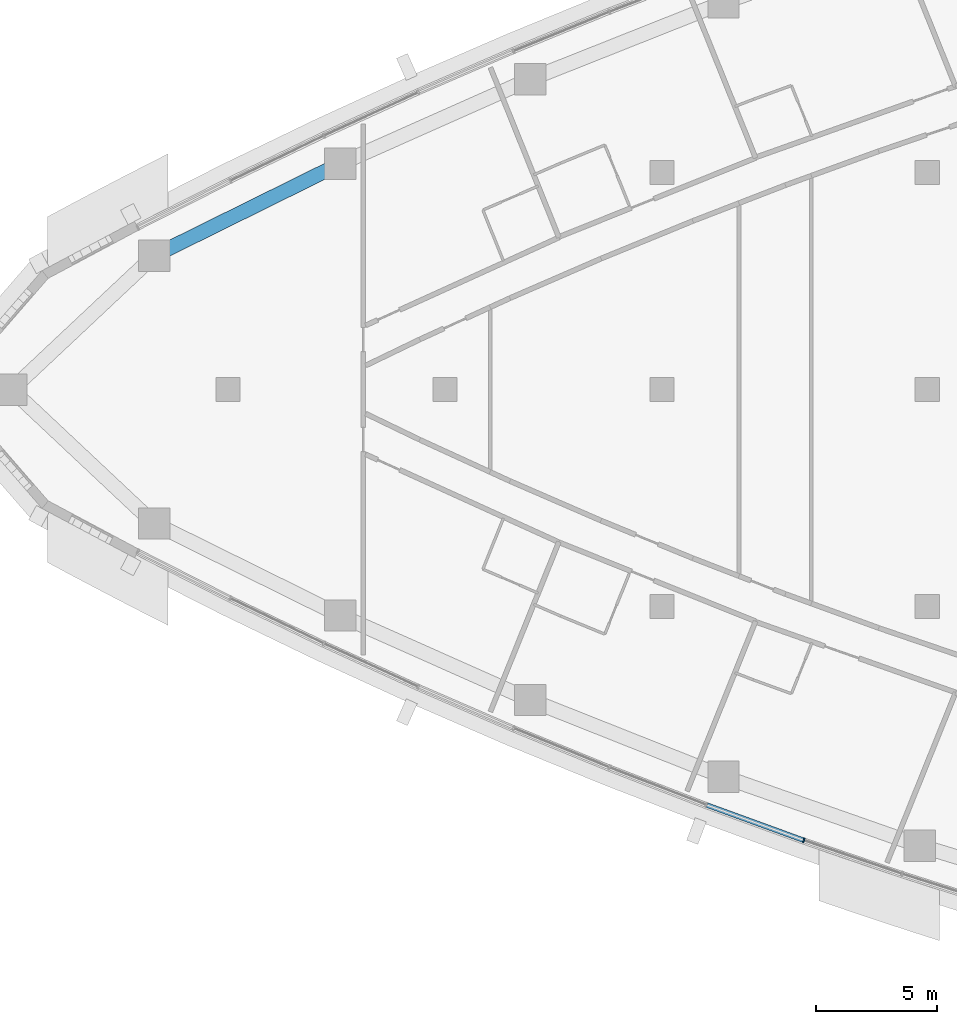
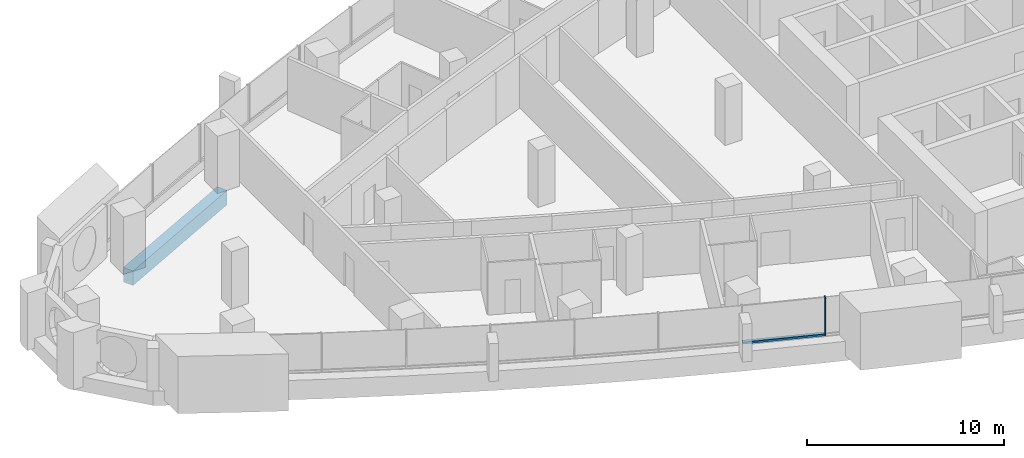
# One storey, part 3 of 17: 2 members, 1 beam, 1 element without a shape of its own.
"""IFC4 building model written with IfcOpenShell, lengths in metres."""

from ifc_helpers import new_model, si_unit, direction, frame, origin, origin_2d, place, context, subcontext, project, spatial, rectangle, extrude, material, layer, layer_set, material_profile, profile_set, type_object, element, aggregate, save


model = new_model("IFC4")

# Units and contexts
model_context = context("Model", 3, precision=1e-05, world=origin(), true_north=direction((0.0, 1.0)))
body_context = subcontext(model_context, "Body", "Model", "MODEL_VIEW")
ifc_project = project(units=[si_unit("LENGTHUNIT", "METRE"), si_unit("AREAUNIT", "SQUARE_METRE"), si_unit("VOLUMEUNIT", "CUBIC_METRE"), si_unit("PLANEANGLEUNIT", "RADIAN"), si_unit("MASSUNIT", "GRAM", prefix="KILO")], contexts=[model_context])

# Site, building, storey
site_placement = place(None, origin())
site = spatial("IfcSite", under=ifc_project, at=site_placement, CompositionType="ELEMENT")
building_placement = place(site_placement, origin())
building = spatial("IfcBuilding", under=site, at=building_placement, Name="Ostrand Prow Hotel Tower", CompositionType="ELEMENT")
storey_placement = place(building_placement, frame((0.0, 0.0, 196.800048828125)))
storey = spatial("IfcBuildingStorey", under=building, at=storey_placement, Name="L49", CompositionType="ELEMENT", Elevation=196.800048828125)

# Beam
ifc_material_1 = material(Name="Concrete C60/75", Category="concrete")
ifc_material_profile_1 = material_profile(ifc_material_1, rectangle(XDim=0.60009765625, YDim=0.89990234375, at=origin_2d()), Name="RC 600x900")
ifc_profile_set_1 = profile_set([ifc_material_profile_1], Name="Concrete C60/75")
beam_type = type_object("IfcBeamType", Name="Edge beam 600x900 C60/75", PredefinedType="SPANDREL", material=ifc_profile_set_1)
beam_placement = place(storey_placement, frame((20.656982421875, 9.373291015625, -0.75), z_axis=(-0.896383774903, -0.443278837856, 0.0), x_axis=(0.443278837856, -0.896383774903, 0.0)))
element("IfcBeam", 1, at=beam_placement, inside=storey, type_object=beam_type, Name="Edge beam N5-N6", PredefinedType="SPANDREL", context=body_context, shape_type="SweptSolid", body=[
    extrude(rectangle(XDim=0.60009765625, YDim=0.89990234375, at=origin_2d()), origin(), (0.0, 0.0, 1.0), 8.62158203125),
])

# Curtain wall, members
ifc_material_2 = material(Name="Insulated glass in bronze anodised frame", Category="glass")
ifc_layer = layer(ifc_material_2, 0.199951171875)
ifc_layer_set = layer_set([ifc_layer], Name="Insulated glass in bronze anodised frame")
curtain_wall_type = type_object("IfcCurtainWallType", Name="Strip curtain wall, fritted glass over bronze spandrel", PredefinedType="NOTDEFINED", material=ifc_layer_set)
curtain_wall_placement = place(storey_placement, origin())
curtain_wall = element("IfcCurtainWall", 2, at=curtain_wall_placement, inside=storey, type_object=curtain_wall_type, Name="CW1 run CWS4", PredefinedType="NOTDEFINED")
ifc_material_3 = material(Name="Bronze anodised aluminium", Category="aluminium")
ifc_material_profile_2 = material_profile(ifc_material_3, rectangle(XDim=0.199951171875, YDim=0.06005859375, at=origin_2d()), Name="Mullion 60x200 bronze anodised aluminium")
ifc_profile_set_2 = profile_set([ifc_material_profile_2], Name="Bronze anodised aluminium")
member_type_1 = type_object("IfcMemberType", Name="Mullion 60x200 bronze anodised aluminium", PredefinedType="MULLION", material=ifc_profile_set_2)
member_1_placement = place(storey_placement, frame((39.87939453125, -18.696533203125, 0.89990234375), z_axis=(0.0, 0.0, 1.0), x_axis=(0.322908332404, 0.946430245113, 0.0)))
member_1 = element("IfcMember", 3, at=member_1_placement, type_object=member_type_1, Name="CW1 mullion 2", PredefinedType="MULLION", context=body_context, shape_type="SweptSolid", body=[
    extrude(rectangle(XDim=0.199951171875, YDim=0.06005859375, at=origin_2d()), origin(), (0.0, 0.0, 1.0), 2.35009765625),
])
ifc_material_4 = material(Name="Bronze anodised aluminium", Category="aluminium")
ifc_material_profile_3 = material_profile(ifc_material_4, rectangle(XDim=0.199951171875, YDim=0.1201171875, at=origin_2d()), Name="Transom 120x200 bronze anodised aluminium")
ifc_profile_set_3 = profile_set([ifc_material_profile_3], Name="Bronze anodised aluminium")
member_type_2 = type_object("IfcMemberType", Name="Transom 120x200 bronze anodised aluminium", PredefinedType="USERDEFINED", material=ifc_profile_set_3)
member_2_placement = place(storey_placement, frame((35.86181640625, -17.235107421875, 0.9599609375), z_axis=(0.939753116272, -0.341853887584, 0.0), x_axis=(0.341853887584, 0.939753116272, 0.0)))
member_2 = element("IfcMember", 4, at=member_2_placement, type_object=member_type_2, Name="CW1 transom 1.1", ObjectType="TRANSOM", PredefinedType="USERDEFINED", context=body_context, shape_type="SweptSolid", body=[
    extrude(rectangle(XDim=0.199951171875, YDim=0.1201171875, at=origin_2d()), origin(), (0.0, 0.0, 1.0), 4.2451171875),
])
aggregate(curtain_wall, [member_1, member_2])

save(model, "model.ifc")
